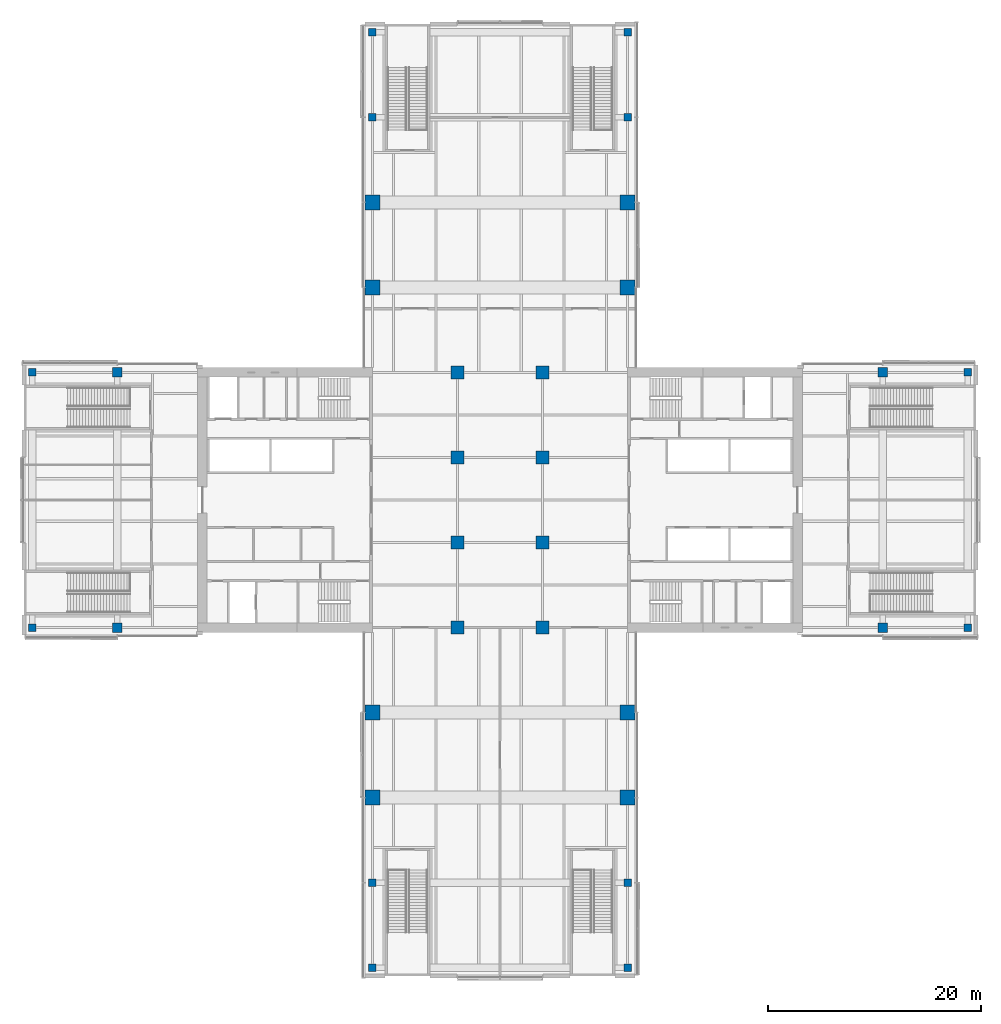
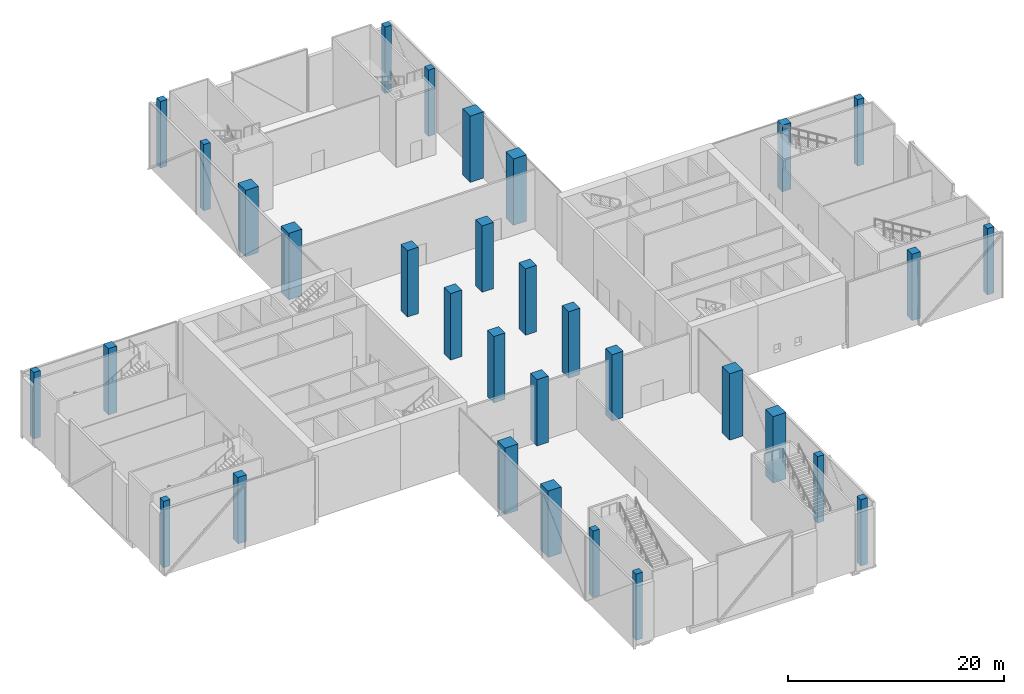
# One storey, part 1 of 25: 32 columns.
"""IFC4 building model written with IfcOpenShell, lengths in metres."""

from ifc_helpers import new_model, si_unit, direction, frame, origin, origin_2d, place, context, subcontext, project, spatial, rectangle, extrude, material, material_profile, profile_set, type_object, element, save


model = new_model("IFC4")

# Units and contexts
model_context = context("Model", 3, precision=1e-05, world=origin(), true_north=direction((0.0, 1.0)))
body_context = subcontext(model_context, "Body", "Model", "MODEL_VIEW")
ifc_project = project(units=[si_unit("LENGTHUNIT", "METRE"), si_unit("AREAUNIT", "SQUARE_METRE"), si_unit("VOLUMEUNIT", "CUBIC_METRE"), si_unit("PLANEANGLEUNIT", "RADIAN"), si_unit("MASSUNIT", "GRAM", prefix="KILO")], contexts=[model_context])

# Site, building, storey
site_placement = place(None, origin())
site = spatial("IfcSite", under=ifc_project, at=site_placement, CompositionType="ELEMENT")
building_placement = place(site_placement, origin())
building = spatial("IfcBuilding", under=site, at=building_placement, Name="Crosswind Convention Tower", CompositionType="ELEMENT")
storey_placement = place(building_placement, frame((0.0, 0.0, 34.0)))
storey = spatial("IfcBuildingStorey", under=building, at=storey_placement, Name="L04", CompositionType="ELEMENT", Elevation=34.0)

# Columns
ifc_material_1 = material(Name="Concrete C70/85", Category="concrete")
ifc_material_profile_1 = material_profile(ifc_material_1, rectangle(XDim=1.199951171875, YDim=1.199951171875, at=origin_2d()), Name="RC 1200X1200")
ifc_profile_set_1 = profile_set([ifc_material_profile_1], Name="Concrete C70/85")
column_type_1 = type_object("IfcColumnType", Name="Column RC 1200X1200", PredefinedType="COLUMN", material=ifc_profile_set_1)
for number, where, z_axis, x_axis, name in (
    (1, (121.0, 88.0, 0.0), (0.0, 0.0, 1.0), (1.0, 0.0, 0.0), "C11 L04 6/E"),
    (2, (121.0, 96.0, 0.0), (0.0, 0.0, 1.0), (1.0, 0.0, 0.0), "C11 L04 6/F"),
    (3, (121.0, 104.0, 0.0), (0.0, 0.0, 1.0), (1.0, 0.0, 0.0), "C11 L04 6/G"),
    (4, (121.0, 112.0, 0.0), (0.0, 0.0, 1.0), (1.0, 0.0, 0.0), "C11 L04 6/H"),
    (5, (129.0, 88.0, 0.0), (0.0, 0.0, 1.0), (1.0, 0.0, 0.0), "C11 L04 7/E"),
    (6, (129.0, 96.0, 0.0), (0.0, 0.0, 1.0), (1.0, 0.0, 0.0), "C11 L04 7/F"),
    (7, (129.0, 104.0, 0.0), (0.0, 0.0, 1.0), (1.0, 0.0, 0.0), "C11 L04 7/G"),
    (8, (129.0, 112.0, 0.0), (0.0, 0.0, 1.0), (1.0, 0.0, 0.0), "C11 L04 7/H"),
):
    element("IfcColumn", number, at=place(storey_placement, frame(where, z_axis=z_axis, x_axis=x_axis)), inside=storey, type_object=column_type_1, Name=name, PredefinedType="COLUMN", context=body_context, shape_type="SweptSolid", body=[
        extrude(rectangle(XDim=1.199951171875, YDim=1.199951171875, at=origin_2d()), origin(), (0.0, 0.0, 1.0), 7.5),
    ])
ifc_material_2 = material(Name="Concrete C80/95", Category="concrete")
ifc_material_profile_2 = material_profile(ifc_material_2, rectangle(XDim=1.39990234375, YDim=1.39990234375, at=origin_2d()), Name="RC 1400X1400")
ifc_profile_set_2 = profile_set([ifc_material_profile_2], Name="Concrete C80/95")
column_type_2 = type_object("IfcColumnType", Name="Column RC 1400X1400", PredefinedType="COLUMN", material=ifc_profile_set_2)
for number, where, z_axis, x_axis, name in (
    (9, (113.0, 72.0, 0.0), (0.0, 0.0, 1.0), (1.0, 0.0, 0.0), "C10 L04 5/C"),
    (10, (113.0, 80.0, 0.0), (0.0, 0.0, 1.0), (1.0, 0.0, 0.0), "C10 L04 5/D"),
    (11, (113.0, 120.0, 0.0), (0.0, 0.0, 1.0), (1.0, 0.0, 0.0), "C10 L04 5/I"),
    (12, (113.0, 128.0, 0.0), (0.0, 0.0, 1.0), (1.0, 0.0, 0.0), "C10 L04 5/J"),
    (13, (137.0, 72.0, 0.0), (0.0, 0.0, 1.0), (1.0, 0.0, 0.0), "C10 L04 8/C"),
    (14, (137.0, 80.0, 0.0), (0.0, 0.0, 1.0), (1.0, 0.0, 0.0), "C10 L04 8/D"),
    (15, (137.0, 120.0, 0.0), (0.0, 0.0, 1.0), (1.0, 0.0, 0.0), "C10 L04 8/I"),
    (16, (137.0, 128.0, 0.0), (0.0, 0.0, 1.0), (1.0, 0.0, 0.0), "C10 L04 8/J"),
):
    element("IfcColumn", number, at=place(storey_placement, frame(where, z_axis=z_axis, x_axis=x_axis)), inside=storey, type_object=column_type_2, Name=name, PredefinedType="COLUMN", context=body_context, shape_type="SweptSolid", body=[
        extrude(rectangle(XDim=1.39990234375, YDim=1.39990234375, at=origin_2d()), origin(), (0.0, 0.0, 1.0), 7.5),
    ])
ifc_material_3 = material(Name="Concrete C60/75", Category="concrete")
ifc_material_profile_3 = material_profile(ifc_material_3, rectangle(XDim=0.699951171875, YDim=0.699951171875, at=origin_2d()), Name="RC 700X700")
ifc_profile_set_3 = profile_set([ifc_material_profile_3], Name="Concrete C60/75")
column_type_3 = type_object("IfcColumnType", Name="Column RC 700X700", PredefinedType="COLUMN", material=ifc_profile_set_3)
for number, where, z_axis, x_axis, name in (
    (17, (81.0, 88.0, 0.0), (0.0, 0.0, 1.0), (1.0, 0.0, 0.0), "C15 L04 1/E"),
    (18, (81.0, 112.0, 0.0), (0.0, 0.0, 1.0), (1.0, 0.0, 0.0), "C15 L04 1/H"),
    (19, (113.0, 56.0, 0.0), (0.0, 0.0, 1.0), (1.0, 0.0, 0.0), "C15 L04 5/A"),
    (20, (113.0, 64.0, 0.0), (0.0, 0.0, 1.0), (1.0, 0.0, 0.0), "C15 L04 5/B"),
    (21, (113.0, 136.0, 0.0), (0.0, 0.0, 1.0), (1.0, 0.0, 0.0), "C15 L04 5/K"),
    (22, (113.0, 144.0, 0.0), (0.0, 0.0, 1.0), (1.0, 0.0, 0.0), "C15 L04 5/L"),
    (23, (137.0, 56.0, 0.0), (0.0, 0.0, 1.0), (1.0, 0.0, 0.0), "C15 L04 8/A"),
    (24, (137.0, 64.0, 0.0), (0.0, 0.0, 1.0), (1.0, 0.0, 0.0), "C15 L04 8/B"),
    (25, (137.0, 136.0, 0.0), (0.0, 0.0, 1.0), (1.0, 0.0, 0.0), "C15 L04 8/K"),
    (26, (137.0, 144.0, 0.0), (0.0, 0.0, 1.0), (1.0, 0.0, 0.0), "C15 L04 8/L"),
    (27, (169.0, 88.0, 0.0), (0.0, 0.0, 1.0), (1.0, 0.0, 0.0), "C15 L04 12/E"),
    (28, (169.0, 112.0, 0.0), (0.0, 0.0, 1.0), (1.0, 0.0, 0.0), "C15 L04 12/H"),
):
    element("IfcColumn", number, at=place(storey_placement, frame(where, z_axis=z_axis, x_axis=x_axis)), inside=storey, type_object=column_type_3, Name=name, PredefinedType="COLUMN", context=body_context, shape_type="SweptSolid", body=[
        extrude(rectangle(XDim=0.699951171875, YDim=0.699951171875, at=origin_2d()), origin(), (0.0, 0.0, 1.0), 7.5),
    ])
ifc_material_profile_4 = material_profile(ifc_material_3, rectangle(XDim=0.89990234375, YDim=0.89990234375, at=origin_2d()), Name="RC 900X900")
ifc_profile_set_4 = profile_set([ifc_material_profile_4], Name="Concrete C60/75")
column_type_4 = type_object("IfcColumnType", Name="Column RC 900X900", PredefinedType="COLUMN", material=ifc_profile_set_4)
for number, where, z_axis, x_axis, name in (
    (29, (89.0, 88.0, 0.0), (0.0, 0.0, 1.0), (1.0, 0.0, 0.0), "C13 L04 2/E"),
    (30, (89.0, 112.0, 0.0), (0.0, 0.0, 1.0), (1.0, 0.0, 0.0), "C13 L04 2/H"),
    (31, (161.0, 88.0, 0.0), (0.0, 0.0, 1.0), (1.0, 0.0, 0.0), "C13 L04 11/E"),
    (32, (161.0, 112.0, 0.0), (0.0, 0.0, 1.0), (1.0, 0.0, 0.0), "C13 L04 11/H"),
):
    element("IfcColumn", number, at=place(storey_placement, frame(where, z_axis=z_axis, x_axis=x_axis)), inside=storey, type_object=column_type_4, Name=name, PredefinedType="COLUMN", context=body_context, shape_type="SweptSolid", body=[
        extrude(rectangle(XDim=0.89990234375, YDim=0.89990234375, at=origin_2d()), origin(), (0.0, 0.0, 1.0), 7.5),
    ])

save(model, "model.ifc")
